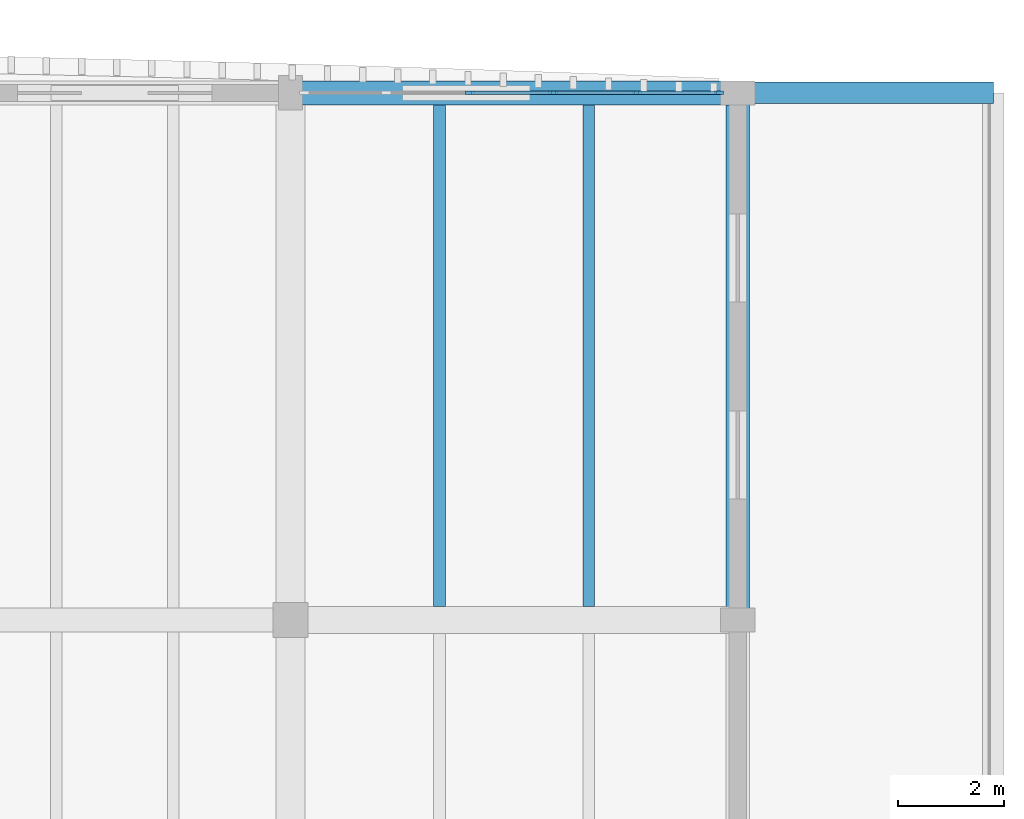
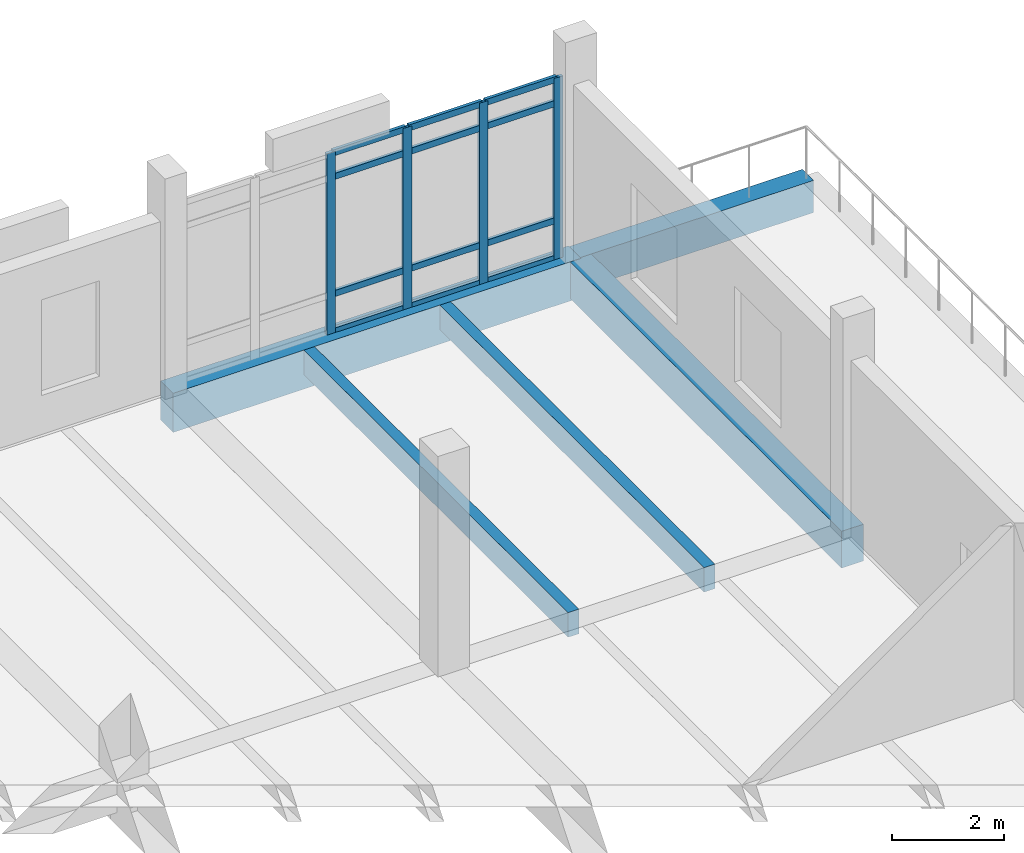
# One storey, part 13 of 39: 16 members, 5 beams, 1 element without a shape of its own.
"""IFC4 building model written with IfcOpenShell, lengths in metres."""

from ifc_helpers import new_model, si_unit, direction, frame, origin, origin_2d, place, context, subcontext, project, spatial, rectangle, extrude, material, material_profile, profile_set, type_object, element, aggregate, save


model = new_model("IFC4")

# Units and contexts
model_context = context("Model", 3, precision=1e-05, world=origin(), true_north=direction((0.0, 1.0)))
body_context = subcontext(model_context, "Body", "Model", "MODEL_VIEW")
ifc_project = project(units=[si_unit("LENGTHUNIT", "METRE"), si_unit("AREAUNIT", "SQUARE_METRE"), si_unit("VOLUMEUNIT", "CUBIC_METRE"), si_unit("PLANEANGLEUNIT", "RADIAN"), si_unit("MASSUNIT", "GRAM", prefix="KILO")], contexts=[model_context])

# Site, building, storey
site_placement = place(None, origin())
site = spatial("IfcSite", under=ifc_project, at=site_placement, CompositionType="ELEMENT")
building_placement = place(site_placement, origin())
building = spatial("IfcBuilding", under=site, at=building_placement, Name="Dornvale Research Institute", CompositionType="ELEMENT")
storey_placement = place(building_placement, frame((0.0, 0.0, 24.60009765625)))
storey = spatial("IfcBuildingStorey", under=building, at=storey_placement, Name="L05", CompositionType="ELEMENT", Elevation=24.60009765625)

# Beams
ifc_material_1 = material(Name="Concrete f'c 45 MPa (C35/45)", Category="concrete")
ifc_material_profile_1 = material_profile(ifc_material_1, rectangle(XDim=0.219970703125, YDim=0.534912109375, at=origin_2d()), Name="RC 220x535")
ifc_profile_set_1 = profile_set([ifc_material_profile_1], Name="Concrete f'c 45 MPa (C35/45)")
beam_type_1 = type_object("IfcBeamType", Name="Joist_RC220x535_Waffle", PredefinedType="JOIST", material=ifc_profile_set_1)
for number, where, z_axis, x_axis, name in (
    (1, (167.800048828125, 112.449951171875, -0.267578125), (0.0, 1.0, 0.0), (-1.0, 0.0, 0.0), "L05 laboratory waffle joist #692"),
    (2, (170.60009765625, 112.449951171875, -0.267578125), (0.0, 1.0, 0.0), (-1.0, 0.0, 0.0), "L05 laboratory waffle joist #693"),
):
    element("IfcBeam", number, at=place(storey_placement, frame(where, z_axis=z_axis, x_axis=x_axis)), inside=storey, type_object=beam_type_1, Name=name, PredefinedType="JOIST", context=body_context, shape_type="SweptSolid", body=[
        extrude(rectangle(XDim=0.219970703125, YDim=0.534912109375, at=origin_2d()), origin(), (0.0, 0.0, 1.0), 9.425048828125),
    ])

# Curtain wall, members
ifc_material_2 = material(Name="Low-E Argon Double Insulating Glazing Unit", Category="glass")
curtain_wall_type = type_object("IfcCurtainWallType", Name="UnitisedCurtainWall_V4_7850x3950", PredefinedType="USERDEFINED", material=ifc_material_2)
curtain_wall_placement = place(storey_placement, origin())
curtain_wall = element("IfcCurtainWall", 3, at=curtain_wall_placement, inside=storey, type_object=curtain_wall_type, Name="L05 V4 unitised curtain wall CW-19 #112", ObjectType="UNITISED CURTAIN WALL", PredefinedType="USERDEFINED")
ifc_material_3 = material(Name="Anodized Aluminum AA 6063-T6 Thermally Broken Frame", Category="aluminium")
ifc_material_profile_2 = material_profile(ifc_material_3, rectangle(XDim=0.06494140625, YDim=0.179931640625, at=origin_2d()), Name="ALU MULLION 65x180")
ifc_profile_set_2 = profile_set([ifc_material_profile_2], Name="Anodized Aluminum AA 6063-T6 Thermally Broken Frame")
member_type_1 = type_object("IfcMemberType", Name="Mullion_CW_65x180", PredefinedType="MULLION", material=ifc_profile_set_2)
member_1_placement = place(storey_placement, frame((168.364990234375, 122.10009765625, 0.0), z_axis=(0.0, 0.0, 1.0), x_axis=(0.0, 1.0, 0.0)))
member_1 = element("IfcMember", 4, at=member_1_placement, type_object=member_type_1, Name="CW-19 mullion 3", PredefinedType="MULLION", context=body_context, shape_type="SweptSolid", body=[
    extrude(rectangle(XDim=0.06494140625, YDim=0.179931640625, at=origin_2d()), origin(), (0.0, 0.0, 1.0), 3.949951171875),
])
member_2_placement = place(storey_placement, frame((169.93505859375, 122.10009765625, 0.0), z_axis=(0.0, 0.0, 1.0), x_axis=(0.0, 1.0, 0.0)))
member_2 = element("IfcMember", 5, at=member_2_placement, type_object=member_type_1, Name="CW-19 mullion 4", PredefinedType="MULLION", context=body_context, shape_type="SweptSolid", body=[
    extrude(rectangle(XDim=0.06494140625, YDim=0.179931640625, at=origin_2d()), origin(), (0.0, 0.0, 1.0), 3.949951171875),
])
member_3_placement = place(storey_placement, frame((171.5048828125, 122.10009765625, 0.0), z_axis=(0.0, 0.0, 1.0), x_axis=(0.0, 1.0, 0.0)))
member_3 = element("IfcMember", 6, at=member_3_placement, type_object=member_type_1, Name="CW-19 mullion 5", PredefinedType="MULLION", context=body_context, shape_type="SweptSolid", body=[
    extrude(rectangle(XDim=0.06494140625, YDim=0.179931640625, at=origin_2d()), origin(), (0.0, 0.0, 1.0), 3.949951171875),
])
member_4_placement = place(storey_placement, frame((173.04248046875, 122.10009765625, 0.0), z_axis=(0.0, 0.0, 1.0), x_axis=(0.0, 1.0, 0.0)))
member_4 = element("IfcMember", 7, at=member_4_placement, type_object=member_type_1, Name="CW-19 mullion 6", PredefinedType="MULLION", context=body_context, shape_type="SweptSolid", body=[
    extrude(rectangle(XDim=0.06494140625, YDim=0.179931640625, at=origin_2d()), origin(), (0.0, 0.0, 1.0), 3.949951171875),
])

# Beams
ifc_material_4 = material(Name="Concrete f'c 45 MPa (C35/45)", Category="concrete")
ifc_material_profile_3 = material_profile(ifc_material_4, rectangle(XDim=0.39990234375, YDim=0.699951171875, at=origin_2d()), Name="RC 400x700")
ifc_profile_set_3 = profile_set([ifc_material_profile_3], Name="Concrete f'c 45 MPa (C35/45)")
beam_type_2 = type_object("IfcBeamType", Name="Spandrel_RC400x700_Ext", PredefinedType="SPANDREL", material=ifc_profile_set_3)
beam_1_placement = place(storey_placement, frame((173.39990234375, 122.10009765625, -0.35009765625), z_axis=(1.0, 0.0, 0.0), x_axis=(0.0, 1.0, 0.0)))
element("IfcBeam", 8, at=beam_1_placement, inside=storey, type_object=beam_type_2, Name="L05 terrace edge beam #1438", PredefinedType="SPANDREL", context=body_context, shape_type="SweptSolid", body=[
    extrude(rectangle(XDim=0.39990234375, YDim=0.699951171875, at=origin_2d()), origin(), (0.0, 0.0, 1.0), 4.800048828125),
])
ifc_material_5 = material(Name="Concrete f'c 45 MPa (C35/45)", Category="concrete")
ifc_material_profile_4 = material_profile(ifc_material_5, rectangle(XDim=0.449951171875, YDim=0.800048828125, at=origin_2d()), Name="RC 450x800")
ifc_profile_set_4 = profile_set([ifc_material_profile_4], Name="Concrete f'c 45 MPa (C35/45)")
beam_type_3 = type_object("IfcBeamType", Name="Spandrel_RC450x800_Ext", PredefinedType="SPANDREL", material=ifc_profile_set_4)
beam_2_placement = place(storey_placement, frame((173.39990234375, 112.199951171875, -0.400146484375), z_axis=(0.0, 1.0, 0.0), x_axis=(-1.0, 0.0, 0.0)))
element("IfcBeam", 9, at=beam_2_placement, inside=storey, type_object=beam_type_3, Name="L05 perimeter spandrel #1436", PredefinedType="SPANDREL", context=body_context, shape_type="SweptSolid", body=[
    extrude(rectangle(XDim=0.449951171875, YDim=0.800048828125, at=origin_2d()), origin(), (0.0, 0.0, 1.0), 9.900146484375),
])
ifc_material_6 = material(Name="Concrete f'c 45 MPa (C35/45)", Category="concrete")
ifc_material_profile_5 = material_profile(ifc_material_6, rectangle(XDim=0.449951171875, YDim=0.85009765625, at=origin_2d()), Name="RC 450x850")
ifc_profile_set_5 = profile_set([ifc_material_profile_5], Name="Concrete f'c 45 MPa (C35/45)")
beam_type_4 = type_object("IfcBeamType", Name="Spandrel_RC450x850_Ext", PredefinedType="SPANDREL", material=ifc_profile_set_5)
beam_3_placement = place(storey_placement, frame((165.0, 122.10009765625, -0.425048828125), z_axis=(1.0, 0.0, 0.0), x_axis=(0.0, 1.0, 0.0)))
element("IfcBeam", 10, at=beam_3_placement, inside=storey, type_object=beam_type_4, Name="L05 perimeter spandrel #1412", PredefinedType="SPANDREL", context=body_context, shape_type="SweptSolid", body=[
    extrude(rectangle(XDim=0.449951171875, YDim=0.85009765625, at=origin_2d()), origin(), (0.0, 0.0, 1.0), 8.39990234375),
])

# Member
ifc_material_7 = material(Name="Anodized Aluminum AA 6063-T6 Thermally Broken Frame", Category="aluminium")
ifc_material_profile_6 = material_profile(ifc_material_7, rectangle(XDim=0.06494140625, YDim=0.135009765625, at=origin_2d()), Name="ALU TRANSOM 65x135")
ifc_profile_set_6 = profile_set([ifc_material_profile_6], Name="Anodized Aluminum AA 6063-T6 Thermally Broken Frame")
member_type_2 = type_object("IfcMemberType", Name="Transom_CW_65x135", PredefinedType="USERDEFINED", material=ifc_profile_set_6)
member_5_placement = place(storey_placement, frame((168.3974609375, 122.10009765625, 0.032470703125), z_axis=(1.0, 0.0, 0.0), x_axis=(0.0, 1.0, 0.0)))
member_5 = element("IfcMember", 11, at=member_5_placement, type_object=member_type_2, Name="CW-19 transom 3.1", ObjectType="TRANSOM", PredefinedType="USERDEFINED", context=body_context, shape_type="SweptSolid", body=[
    extrude(rectangle(XDim=0.06494140625, YDim=0.135009765625, at=origin_2d()), origin(), (0.0, 0.0, 1.0), 1.505126953125),
])

member_6_placement = place(storey_placement, frame((168.3974609375, 122.10009765625, 0.849853515625), z_axis=(1.0, 0.0, 0.0), x_axis=(0.0, 1.0, 0.0)))
member_6 = element("IfcMember", 12, at=member_6_placement, type_object=member_type_2, Name="CW-19 transom 3.2", ObjectType="TRANSOM", PredefinedType="USERDEFINED", context=body_context, shape_type="SweptSolid", body=[
    extrude(rectangle(XDim=0.06494140625, YDim=0.135009765625, at=origin_2d()), origin(), (0.0, 0.0, 1.0), 1.505126953125),
])

member_7_placement = place(storey_placement, frame((168.3974609375, 122.10009765625, 3.39990234375), z_axis=(1.0, 0.0, 0.0), x_axis=(0.0, 1.0, 0.0)))
member_7 = element("IfcMember", 13, at=member_7_placement, type_object=member_type_2, Name="CW-19 transom 3.3", ObjectType="TRANSOM", PredefinedType="USERDEFINED", context=body_context, shape_type="SweptSolid", body=[
    extrude(rectangle(XDim=0.06494140625, YDim=0.135009765625, at=origin_2d()), origin(), (0.0, 0.0, 1.0), 1.505126953125),
])

member_8_placement = place(storey_placement, frame((168.3974609375, 122.10009765625, 3.91748046875), z_axis=(1.0, 0.0, 0.0), x_axis=(0.0, 1.0, 0.0)))
member_8 = element("IfcMember", 14, at=member_8_placement, type_object=member_type_2, Name="CW-19 transom 3.4", ObjectType="TRANSOM", PredefinedType="USERDEFINED", context=body_context, shape_type="SweptSolid", body=[
    extrude(rectangle(XDim=0.06494140625, YDim=0.135009765625, at=origin_2d()), origin(), (0.0, 0.0, 1.0), 1.505126953125),
])

member_9_placement = place(storey_placement, frame((169.967529296875, 122.10009765625, 0.032470703125), z_axis=(1.0, 0.0, 0.0), x_axis=(0.0, 1.0, 0.0)))
member_9 = element("IfcMember", 15, at=member_9_placement, type_object=member_type_2, Name="CW-19 transom 4.1", ObjectType="TRANSOM", PredefinedType="USERDEFINED", context=body_context, shape_type="SweptSolid", body=[
    extrude(rectangle(XDim=0.06494140625, YDim=0.135009765625, at=origin_2d()), origin(), (0.0, 0.0, 1.0), 1.5048828125),
])

member_10_placement = place(storey_placement, frame((169.967529296875, 122.10009765625, 0.849853515625), z_axis=(1.0, 0.0, 0.0), x_axis=(0.0, 1.0, 0.0)))
member_10 = element("IfcMember", 16, at=member_10_placement, type_object=member_type_2, Name="CW-19 transom 4.2", ObjectType="TRANSOM", PredefinedType="USERDEFINED", context=body_context, shape_type="SweptSolid", body=[
    extrude(rectangle(XDim=0.06494140625, YDim=0.135009765625, at=origin_2d()), origin(), (0.0, 0.0, 1.0), 1.5048828125),
])

member_11_placement = place(storey_placement, frame((169.967529296875, 122.10009765625, 3.39990234375), z_axis=(1.0, 0.0, 0.0), x_axis=(0.0, 1.0, 0.0)))
member_11 = element("IfcMember", 17, at=member_11_placement, type_object=member_type_2, Name="CW-19 transom 4.3", ObjectType="TRANSOM", PredefinedType="USERDEFINED", context=body_context, shape_type="SweptSolid", body=[
    extrude(rectangle(XDim=0.06494140625, YDim=0.135009765625, at=origin_2d()), origin(), (0.0, 0.0, 1.0), 1.5048828125),
])

member_12_placement = place(storey_placement, frame((169.967529296875, 122.10009765625, 3.91748046875), z_axis=(1.0, 0.0, 0.0), x_axis=(0.0, 1.0, 0.0)))
member_12 = element("IfcMember", 18, at=member_12_placement, type_object=member_type_2, Name="CW-19 transom 4.4", ObjectType="TRANSOM", PredefinedType="USERDEFINED", context=body_context, shape_type="SweptSolid", body=[
    extrude(rectangle(XDim=0.06494140625, YDim=0.135009765625, at=origin_2d()), origin(), (0.0, 0.0, 1.0), 1.5048828125),
])

member_13_placement = place(storey_placement, frame((171.53759765625, 122.10009765625, 0.032470703125), z_axis=(1.0, 0.0, 0.0), x_axis=(0.0, 1.0, 0.0)))
member_13 = element("IfcMember", 19, at=member_13_placement, type_object=member_type_2, Name="CW-19 transom 5.1", ObjectType="TRANSOM", PredefinedType="USERDEFINED", context=body_context, shape_type="SweptSolid", body=[
    extrude(rectangle(XDim=0.06494140625, YDim=0.135009765625, at=origin_2d()), origin(), (0.0, 0.0, 1.0), 1.472412109375),
])

member_14_placement = place(storey_placement, frame((171.53759765625, 122.10009765625, 0.849853515625), z_axis=(1.0, 0.0, 0.0), x_axis=(0.0, 1.0, 0.0)))
member_14 = element("IfcMember", 20, at=member_14_placement, type_object=member_type_2, Name="CW-19 transom 5.2", ObjectType="TRANSOM", PredefinedType="USERDEFINED", context=body_context, shape_type="SweptSolid", body=[
    extrude(rectangle(XDim=0.06494140625, YDim=0.135009765625, at=origin_2d()), origin(), (0.0, 0.0, 1.0), 1.472412109375),
])

member_15_placement = place(storey_placement, frame((171.53759765625, 122.10009765625, 3.39990234375), z_axis=(1.0, 0.0, 0.0), x_axis=(0.0, 1.0, 0.0)))
member_15 = element("IfcMember", 21, at=member_15_placement, type_object=member_type_2, Name="CW-19 transom 5.3", ObjectType="TRANSOM", PredefinedType="USERDEFINED", context=body_context, shape_type="SweptSolid", body=[
    extrude(rectangle(XDim=0.06494140625, YDim=0.135009765625, at=origin_2d()), origin(), (0.0, 0.0, 1.0), 1.472412109375),
])

member_16_placement = place(storey_placement, frame((171.53759765625, 122.10009765625, 3.91748046875), z_axis=(1.0, 0.0, 0.0), x_axis=(0.0, 1.0, 0.0)))
member_16 = element("IfcMember", 22, at=member_16_placement, type_object=member_type_2, Name="CW-19 transom 5.4", ObjectType="TRANSOM", PredefinedType="USERDEFINED", context=body_context, shape_type="SweptSolid", body=[
    extrude(rectangle(XDim=0.06494140625, YDim=0.135009765625, at=origin_2d()), origin(), (0.0, 0.0, 1.0), 1.472412109375),
])

aggregate(curtain_wall, [member_1, member_2, member_3, member_4, member_5, member_6, member_7, member_8, member_9, member_10, member_11, member_12, member_13, member_14, member_15, member_16])

save(model, "model.ifc")
